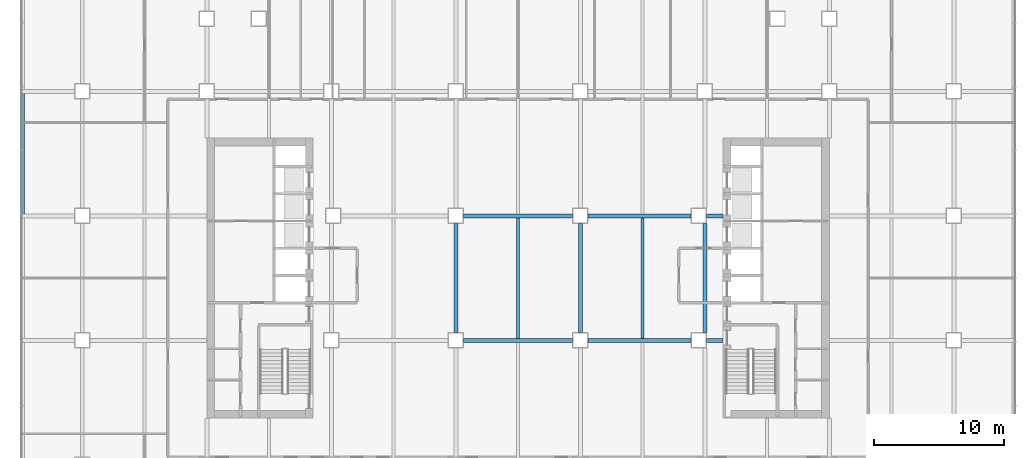
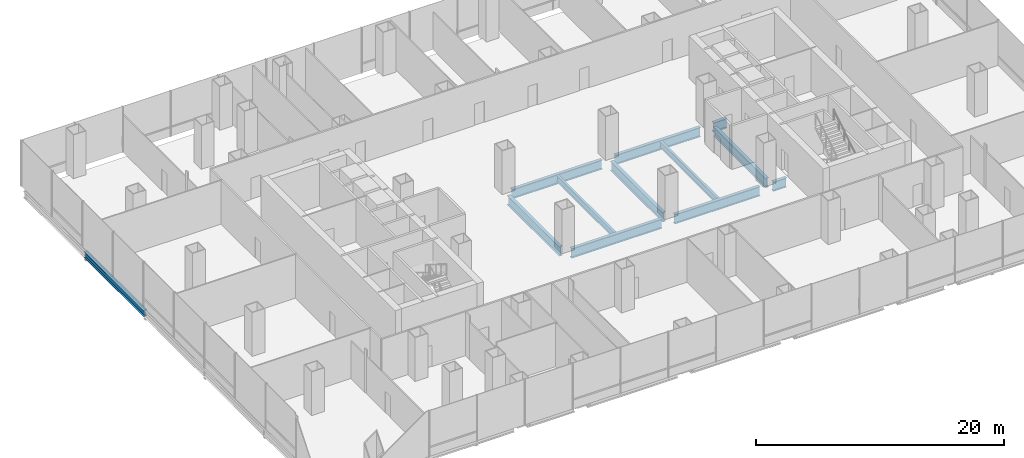
# One storey, part 7 of 23: 12 beams.
"""IFC4 building model written with IfcOpenShell, lengths in metres."""

from ifc_helpers import new_model, si_unit, direction, frame, origin, origin_2d, place, context, subcontext, project, spatial, i_section, extrude, material, material_profile, profile_set, type_object, element, save


model = new_model("IFC4")

# Units and contexts
model_context = context("Model", 3, precision=1e-05, world=origin(), true_north=direction((0.0, 1.0)))
body_context = subcontext(model_context, "Body", "Model", "MODEL_VIEW")
ifc_project = project(units=[si_unit("LENGTHUNIT", "METRE"), si_unit("AREAUNIT", "SQUARE_METRE"), si_unit("VOLUMEUNIT", "CUBIC_METRE"), si_unit("PLANEANGLEUNIT", "RADIAN"), si_unit("MASSUNIT", "GRAM", prefix="KILO")], contexts=[model_context])

# Site, building, storey
site_placement = place(None, origin())
site = spatial("IfcSite", under=ifc_project, at=site_placement, CompositionType="ELEMENT")
building_placement = place(site_placement, origin())
building = spatial("IfcBuilding", under=site, at=building_placement, Name="Cobrizo Arcos Hotel Tower", CompositionType="ELEMENT")
storey_placement = place(building_placement, frame((0.0, 0.0, 20.0)))
storey = spatial("IfcBuildingStorey", under=building, at=storey_placement, Name="L03", CompositionType="ELEMENT", Elevation=20.0)

# Beams
ifc_material = material(Name="Steel ASTM A992 Grade 50", Category="steel")
ifc_material_profile_1 = material_profile(ifc_material, i_section(OverallWidth=0.32763671875, OverallDepth=0.622314453125, WebThickness=0.015380859375, FlangeThickness=0.0244140625, at=origin_2d()), Name="W24X131")
ifc_profile_set_1 = profile_set([ifc_material_profile_1], Name="Steel ASTM A992 Grade 50")
beam_type_1 = type_object("IfcBeamType", Name="W24X131 edge beam", PredefinedType="BEAM", material=ifc_profile_set_1)
beam_1_placement = place(storey_placement, frame((-38.236083984375, 14.39990234375, -0.51123046875), z_axis=(0.0, -1.0, 0.0), x_axis=(1.0, 0.0, 0.0)))
element("IfcBeam", 1, at=beam_1_placement, inside=storey, type_object=beam_type_1, Name="Edge beam EB1, L03, no. 009", PredefinedType="BEAM", context=body_context, shape_type="SweptSolid", body=[
    extrude(i_section(OverallWidth=0.32763671875, OverallDepth=0.622314453125, WebThickness=0.015380859375, FlangeThickness=0.0244140625, at=origin_2d()), origin(), (0.0, 0.0, 1.0), 9.599853515625),
])
ifc_material_profile_2 = material_profile(ifc_material, i_section(OverallWidth=0.23046875, OverallDepth=0.6171875, WebThickness=0.01318359375, FlangeThickness=0.022216796875, at=origin_2d()), Name="W24X94")
ifc_profile_set_2 = profile_set([ifc_material_profile_2], Name="Steel ASTM A992 Grade 50")
beam_type_2 = type_object("IfcBeamType", Name="W24X94 podium joist", PredefinedType="JOIST", material=ifc_profile_set_2)
for number, where, z_axis, x_axis, name in (
    (2, (0.0, -4.646240234375, -0.508544921875), (0.0, 1.0, 0.0), (-1.0, 0.0, 0.0), "Podium joist PJ1, L03, no. 017"),
    (3, (9.60009765625, -4.646240234375, -0.508544921875), (0.0, 1.0, 0.0), (-1.0, 0.0, 0.0), "Podium joist PJ1, L03, no. 022"),
):
    element("IfcBeam", number, at=place(storey_placement, frame(where, z_axis=z_axis, x_axis=x_axis)), inside=storey, type_object=beam_type_2, Name=name, PredefinedType="JOIST", context=body_context, shape_type="SweptSolid", body=[
        extrude(i_section(OverallWidth=0.23046875, OverallDepth=0.6171875, WebThickness=0.01318359375, FlangeThickness=0.022216796875, at=origin_2d()), origin(), (0.0, 0.0, 1.0), 9.29248046875),
    ])
ifc_material_profile_3 = material_profile(ifc_material, i_section(OverallWidth=0.307373046875, OverallDepth=0.927001953125, WebThickness=0.01953125, FlangeThickness=0.031982421875, at=origin_2d()), Name="W36X194")
ifc_profile_set_3 = profile_set([ifc_material_profile_3], Name="Steel ASTM A992 Grade 50")
beam_type_3 = type_object("IfcBeamType", Name="W36X194 podium girder", PredefinedType="BEAM", material=ifc_profile_set_3)
beam_2_placement = place(storey_placement, frame((-4.199951171875, -4.800048828125, -0.66357421875), z_axis=(1.0, 0.0, 0.0), x_axis=(0.0, 1.0, 0.0)))
element("IfcBeam", 4, at=beam_2_placement, inside=storey, type_object=beam_type_3, Name="Podium girder PG1, L03, no. 013", PredefinedType="BEAM", context=body_context, shape_type="SweptSolid", body=[
    extrude(i_section(OverallWidth=0.307373046875, OverallDepth=0.927001953125, WebThickness=0.01953125, FlangeThickness=0.031982421875, at=origin_2d()), origin(), (0.0, 0.0, 1.0), 8.39990234375),
])
beam_3_placement = place(storey_placement, frame((5.39990234375, -4.800048828125, -0.66357421875), z_axis=(1.0, 0.0, 0.0), x_axis=(0.0, 1.0, 0.0)))
element("IfcBeam", 5, at=beam_3_placement, inside=storey, type_object=beam_type_3, Name="Podium girder PG1, L03, no. 014", PredefinedType="BEAM", context=body_context, shape_type="SweptSolid", body=[
    extrude(i_section(OverallWidth=0.307373046875, OverallDepth=0.927001953125, WebThickness=0.01953125, FlangeThickness=0.031982421875, at=origin_2d()), origin(), (0.0, 0.0, 1.0), 7.940185546875),
])
beam_4_placement = place(storey_placement, frame((14.5400390625, -4.800048828125, -0.66357421875), z_axis=(1.0, 0.0, 0.0), x_axis=(0.0, 1.0, 0.0)))
element("IfcBeam", 6, at=beam_4_placement, inside=storey, type_object=beam_type_3, Name="Podium girder PG1, L03, no. 015", PredefinedType="BEAM", context=body_context, shape_type="SweptSolid", body=[
    extrude(i_section(OverallWidth=0.307373046875, OverallDepth=0.927001953125, WebThickness=0.01953125, FlangeThickness=0.031982421875, at=origin_2d()), origin(), (0.0, 0.0, 1.0), 1.25),
])
beam_5_placement = place(storey_placement, frame((-4.199951171875, 4.800048828125, -0.66357421875), z_axis=(1.0, 0.0, 0.0), x_axis=(0.0, 1.0, 0.0)))
element("IfcBeam", 7, at=beam_5_placement, inside=storey, type_object=beam_type_3, Name="Podium girder PG1, L03, no. 021", PredefinedType="BEAM", context=body_context, shape_type="SweptSolid", body=[
    extrude(i_section(OverallWidth=0.307373046875, OverallDepth=0.927001953125, WebThickness=0.01953125, FlangeThickness=0.031982421875, at=origin_2d()), origin(), (0.0, 0.0, 1.0), 8.39990234375),
])
beam_6_placement = place(storey_placement, frame((5.39990234375, 4.800048828125, -0.66357421875), z_axis=(1.0, 0.0, 0.0), x_axis=(0.0, 1.0, 0.0)))
element("IfcBeam", 8, at=beam_6_placement, inside=storey, type_object=beam_type_3, Name="Podium girder PG1, L03, no. 022", PredefinedType="BEAM", context=body_context, shape_type="SweptSolid", body=[
    extrude(i_section(OverallWidth=0.307373046875, OverallDepth=0.927001953125, WebThickness=0.01953125, FlangeThickness=0.031982421875, at=origin_2d()), origin(), (0.0, 0.0, 1.0), 7.940185546875),
])
beam_7_placement = place(storey_placement, frame((14.5400390625, 4.800048828125, -0.66357421875), z_axis=(1.0, 0.0, 0.0), x_axis=(0.0, 1.0, 0.0)))
element("IfcBeam", 9, at=beam_7_placement, inside=storey, type_object=beam_type_3, Name="Podium girder PG1, L03, no. 023", PredefinedType="BEAM", context=body_context, shape_type="SweptSolid", body=[
    extrude(i_section(OverallWidth=0.307373046875, OverallDepth=0.927001953125, WebThickness=0.01953125, FlangeThickness=0.031982421875, at=origin_2d()), origin(), (0.0, 0.0, 1.0), 1.25),
])
for number, where, z_axis, x_axis, name in (
    (10, (-4.800048828125, -4.199951171875, -0.66357421875), (0.0, 1.0, 0.0), (-1.0, 0.0, 0.0), "Podium girder PG1, L03, no. 053"),
    (11, (4.800048828125, -4.199951171875, -0.66357421875), (0.0, 1.0, 0.0), (-1.0, 0.0, 0.0), "Podium girder PG1, L03, no. 058"),
    (12, (14.39990234375, -4.199951171875, -0.66357421875), (0.0, 1.0, 0.0), (-1.0, 0.0, 0.0), "Podium girder PG1, L03, no. 063"),
):
    element("IfcBeam", number, at=place(storey_placement, frame(where, z_axis=z_axis, x_axis=x_axis)), inside=storey, type_object=beam_type_3, Name=name, PredefinedType="BEAM", context=body_context, shape_type="SweptSolid", body=[
        extrude(i_section(OverallWidth=0.307373046875, OverallDepth=0.927001953125, WebThickness=0.01953125, FlangeThickness=0.031982421875, at=origin_2d()), origin(), (0.0, 0.0, 1.0), 8.39990234375),
    ])

save(model, "model.ifc")
